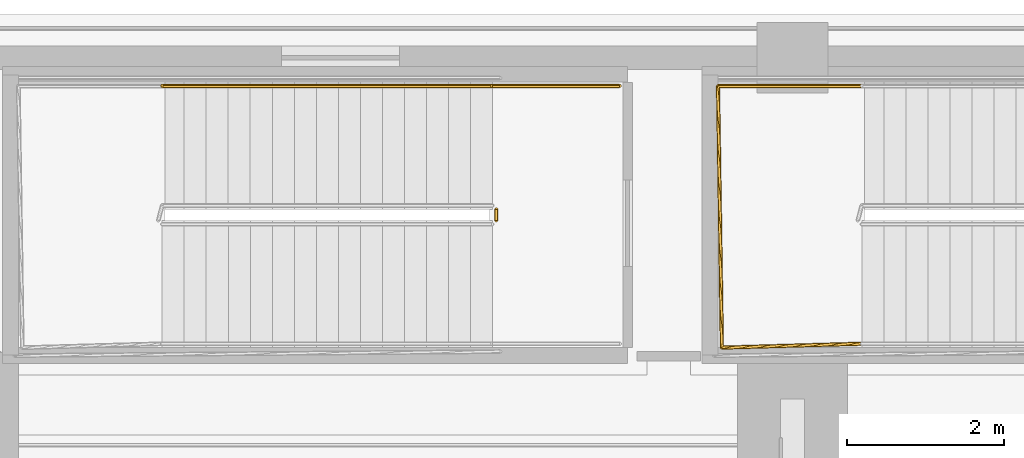
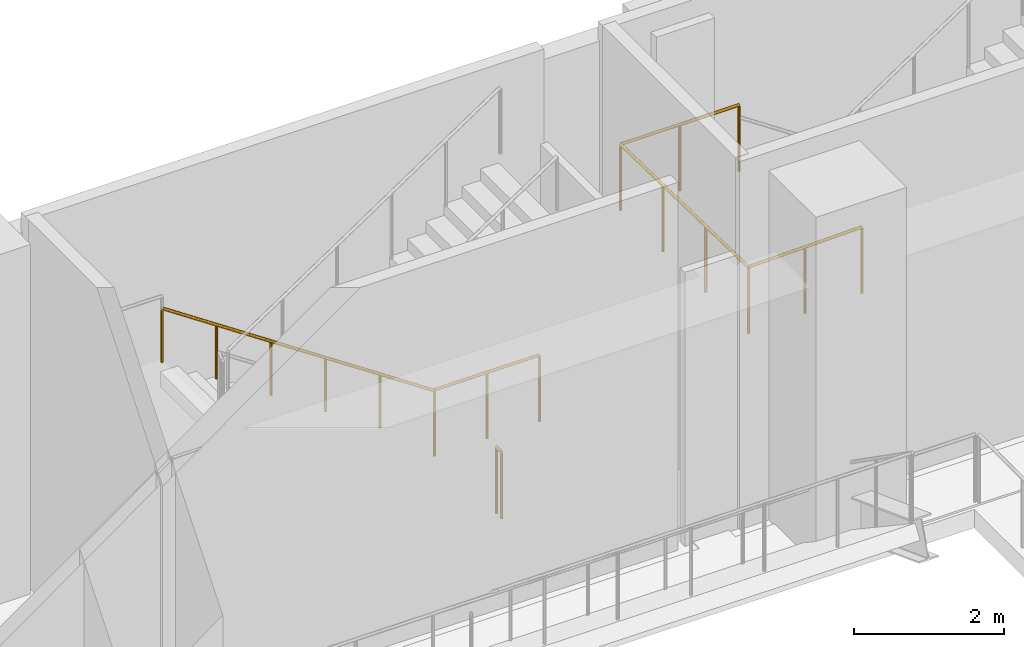
# One storey, part 23 of 28: 4 railings.
"""IFC4 building model written with IfcOpenShell, lengths in metres."""

import ifcopenshell
import ifcopenshell.guid

model = None  # the IFC model being written
_history = None  # IfcOwnerHistory: only IFC2X3 demands one
_inside = {}  # id of a spatial element -> (the spatial element, [elements in it])
_under = {}  # id of a project, library or spatial element -> (it, [spatial elements below it])
_declared = {}  # id of a project -> (the project, [libraries it declares])
_typed = {}  # id of a type object -> (the type object, [elements of that type])
_made_of = {}  # id of a material, layer set ... -> (it, [elements and type objects made of it])


def new_model(schema):
    """Start an empty IFC model of exactly this schema.

    Asked for "IFC4X3", IfcOpenShell would pick the latest addendum, in which some entities
    have other attributes; the version numbers below select the first issue.
    IFC2X3 requires an IfcOwnerHistory on every rooted entity: one is made here for all.
    """
    global model, _history
    if schema == "IFC4X3":
        model = ifcopenshell.file(schema_version=(4, 3, 0, 0))
    else:
        model = ifcopenshell.file(schema=schema)
    _inside.clear()
    _under.clear()
    _declared.clear()
    _typed.clear()
    _made_of.clear()
    _history = None
    if model.schema == "IFC2X3":
        org = make("IfcOrganization", Name="unknown")
        user = make(
            "IfcPersonAndOrganization",
            ThePerson=make("IfcPerson", FamilyName="unknown"),
            TheOrganization=org,
        )
        app = make(
            "IfcApplication",
            ApplicationDeveloper=org,
            Version="unknown",
            ApplicationFullName="unknown",
            ApplicationIdentifier="unknown",
        )
        _history = make(
            "IfcOwnerHistory",
            OwningUser=user,
            OwningApplication=app,
            ChangeAction="ADDED",
            CreationDate=0,
        )
    return model


def make(cls, **values):
    """One entity of the class cls with the attributes given. An attribute that is None is left unset."""
    return model.create_entity(
        cls, **{name: value for name, value in values.items() if value is not None}
    )


def rooted(cls, **values):
    """An entity with a GlobalId (a new one), such as an element, a storey or a relation."""
    return make(cls, GlobalId=ifcopenshell.guid.new(), OwnerHistory=_history, **values)


def si_unit(unit_type, name, prefix=None):
    """IfcSIUnit, for example si_unit("LENGTHUNIT", "METRE", prefix="MILLI")."""
    return make("IfcSIUnit", UnitType=unit_type, Prefix=prefix, Name=name)


def assignment(units):
    """IfcUnitAssignment: the units of a project."""
    return None if units is None else make("IfcUnitAssignment", Units=units)


def point(xyz):
    """IfcCartesianPoint."""
    return None if xyz is None else make("IfcCartesianPoint", Coordinates=xyz)


def direction(xyz):
    """IfcDirection."""
    return None if xyz is None else make("IfcDirection", DirectionRatios=xyz)


def frame(location, z_axis=None, x_axis=None):
    """IfcAxis2Placement3D, a coordinate frame: its origin and axes. An axis left out is left unset."""
    return make(
        "IfcAxis2Placement3D",
        Location=point(location),
        Axis=direction(z_axis),
        RefDirection=direction(x_axis),
    )


def frame_2d(location, x_axis=None):
    """IfcAxis2Placement2D, a coordinate frame in the plane: its origin and x axis."""
    return make(
        "IfcAxis2Placement2D", Location=point(location), RefDirection=direction(x_axis)
    )


def origin():
    """The frame at (0, 0, 0) with its axes left unset."""
    return frame((0.0, 0.0, 0.0))


def origin_2d():
    """The frame at (0, 0) in the plane with its x axis left unset."""
    return frame_2d((0.0, 0.0))


def place(relative_to, where):
    """IfcLocalPlacement: puts the frame where relative to a parent placement (None: the world)."""
    return make(
        "IfcLocalPlacement", PlacementRelTo=relative_to, RelativePlacement=where
    )


def context(
    kind, dimensions, precision=None, world=None, true_north=None, identifier=None
):
    """IfcGeometricRepresentationContext, for example the 3D "Model" context."""
    return make(
        "IfcGeometricRepresentationContext",
        ContextIdentifier=identifier,
        ContextType=kind,
        CoordinateSpaceDimension=dimensions,
        Precision=precision,
        WorldCoordinateSystem=world,
        TrueNorth=true_north,
    )


def subcontext(parent, identifier, kind, view, scale=None):
    """IfcGeometricRepresentationSubContext, for example "Body" below "Model"."""
    return make(
        "IfcGeometricRepresentationSubContext",
        ContextIdentifier=identifier,
        ContextType=kind,
        ParentContext=parent,
        TargetScale=scale,
        TargetView=view,
    )


def project(units=None, contexts=None):
    """IfcProject with its units and contexts."""
    return rooted(
        "IfcProject",
        Name="project",
        RepresentationContexts=contexts,
        UnitsInContext=assignment(units),
    )


def spatial(cls, under=None, at=None, **own):
    """A site, building, storey or space (cls), placed at a placement, below another one or the project."""
    s = rooted(cls, ObjectPlacement=at, **own)
    if under is not None:
        _under.setdefault(under.id(), (under, []))[1].append(s)
    return s


def profile(cls, at=None, kind="AREA", **sizes):
    """A parametric profile (cls). Its sizes go by their IFC names, for example OverallWidth=200.0."""
    return make(cls, ProfileType=kind, Position=at, **sizes)


def circle(**sizes):
    """IfcCircleProfileDef."""
    return profile("IfcCircleProfileDef", **sizes)


def extrude(swept, where, along, depth):
    """IfcExtrudedAreaSolid: the profile swept, set in the frame where, extruded along a direction by depth."""
    return make(
        "IfcExtrudedAreaSolid",
        SweptArea=swept,
        Position=where,
        ExtrudedDirection=direction(along),
        Depth=depth,
    )


def shape(context_of_items, identifier, shape_type, items):
    """IfcShapeRepresentation: the items that make up one representation, for example the "Body"."""
    return make(
        "IfcShapeRepresentation",
        ContextOfItems=context_of_items,
        RepresentationIdentifier=identifier,
        RepresentationType=shape_type,
        Items=items,
    )


def material(Name=None, Category=None):
    """IfcMaterial."""
    return make("IfcMaterial", Name=Name, Category=Category)


def layer(
    of_material, thickness, ventilated=None, Name=None, Category=None, Priority=None
):
    """IfcMaterialLayer: one layer of a wall or slab, of a material (None: an air gap)."""
    return make(
        "IfcMaterialLayer",
        Material=of_material,
        LayerThickness=thickness,
        IsVentilated=ventilated,
        Name=Name,
        Category=Category,
        Priority=Priority,
    )


def layer_set(layers, Name=None):
    """IfcMaterialLayerSet."""
    return make("IfcMaterialLayerSet", MaterialLayers=layers, LayerSetName=Name)


def made_of(thing, what):
    """Note that an element or type object is made of a material, layer set ...; save() writes the relation."""
    if what is not None:
        _made_of.setdefault(what.id(), (what, []))[1].append(thing)
    return thing


def type_object(cls, material=None, **own):
    """A type object (cls), such as IfcWallType, which elements share."""
    return made_of(rooted(cls, **own), material)


def element(
    cls,
    number,
    at=None,
    inside=None,
    cuts=None,
    type_object=None,
    material=None,
    context=None,
    identifier="Body",
    shape_type=None,
    held_by="IfcProductDefinitionShape",
    body=None,
    shapes=None,
    **own,
):
    """One element of the class cls, such as IfcWall. Its Tag is "e" and its number.

    at: its placement. inside: the storey or other place that contains it. cuts: it is an
    opening in that element (IfcRelVoidsElement). A single representation is given by context,
    identifier, shape_type and body (its items); several are given by shapes. held_by: the class
    of the entity that holds the representations. save() writes the other relations.
    """
    e = rooted(cls, Tag="e%d" % number, ObjectPlacement=at, **own)
    if body is not None:
        shapes = [shape(context, identifier, shape_type, body)]
    if shapes is not None:
        e.Representation = make(held_by, Representations=shapes)
    if inside is not None:
        _inside.setdefault(inside.id(), (inside, []))[1].append(e)
    if cuts is not None:
        rooted(
            "IfcRelVoidsElement", RelatingBuildingElement=cuts, RelatedOpeningElement=e
        )
    if type_object is not None:
        _typed.setdefault(type_object.id(), (type_object, []))[1].append(e)
    return made_of(e, material)


def aggregate(whole, parts):
    """IfcRelAggregates: a whole, such as a stair, and the parts it consists of."""
    return rooted("IfcRelAggregates", RelatingObject=whole, RelatedObjects=parts)


def save(model, path):
    """Write the relations noted so far, then the file.

    IfcRelAggregates (storeys below a building ...), IfcRelContainedInSpatialStructure (elements
    in a storey), IfcRelDefinesByType, IfcRelAssociatesMaterial and IfcRelDeclares: one each for
    every whole, place, type object, material and project.
    """
    for whole, parts in _under.values():
        aggregate(whole, parts)
    for where, things in _inside.values():
        rooted(
            "IfcRelContainedInSpatialStructure",
            RelatedElements=things,
            RelatingStructure=where,
        )
    for kind, things in _typed.values():
        rooted("IfcRelDefinesByType", RelatedObjects=things, RelatingType=kind)
    for what, things in _made_of.values():
        rooted("IfcRelAssociatesMaterial", RelatedObjects=things, RelatingMaterial=what)
    for by, libraries in _declared.values():
        rooted("IfcRelDeclares", RelatingContext=by, RelatedDefinitions=libraries)
    model.write(path)


model = new_model("IFC4")

# Units and contexts
model_context = context("Model", 3, precision=1e-05, world=origin(), true_north=direction((0.0, 1.0)))
body_context = subcontext(model_context, "Body", "Model", "MODEL_VIEW")
ifc_project = project(units=[si_unit("LENGTHUNIT", "METRE"), si_unit("AREAUNIT", "SQUARE_METRE"), si_unit("VOLUMEUNIT", "CUBIC_METRE"), si_unit("PLANEANGLEUNIT", "RADIAN"), si_unit("MASSUNIT", "GRAM", prefix="KILO")], contexts=[model_context])

# Site, building, storey
site_placement = place(None, origin())
site = spatial("IfcSite", under=ifc_project, at=site_placement, CompositionType="ELEMENT")
building_placement = place(site_placement, origin())
building = spatial("IfcBuilding", under=site, at=building_placement, Name="Ndaravel Arena Tower", CompositionType="ELEMENT")
storey_placement = place(building_placement, frame((0.0, 0.0, 18.0)))
storey = spatial("IfcBuildingStorey", under=building, at=storey_placement, Name="L03", CompositionType="ELEMENT", Elevation=18.0)

# Railings
ifc_material_1 = material(Name="Steel S355", Category="steel")
ifc_layer_1 = layer(ifc_material_1, 0.06005859375)
ifc_layer_set_1 = layer_set([ifc_layer_1], Name="Steel S355")
railing_type_1 = type_object("IfcRailingType", Name="RAIL-STAIR-GD1100", PredefinedType="GUARDRAIL", material=ifc_layer_set_1)
railing_1_placement = place(storey_placement, frame((60.22998046875, 45.52001953125, 0.0)))
element("IfcRailing", 1, at=railing_1_placement, inside=storey, type_object=railing_type_1, Name="L03 ST-A10 stair guard 4", PredefinedType="GUARDRAIL", context=body_context, shape_type="SweptSolid", body=[
    extrude(circle(Radius=0.02392578125, at=origin_2d()), frame((0.0, 0.0, 1.076171875), z_axis=(0.0, -1.0, 0.0), x_axis=(1.0, 0.0, 0.0)), (0.0, 0.0, 1.0), 0.14013671875),
    extrude(circle(Radius=0.02099609375, at=origin_2d()), origin(), (0.0, 0.0, 1.0), 1.052001953125),
    extrude(circle(Radius=0.02099609375, at=origin_2d()), frame((0.0, -0.14013671875, 0.0)), (0.0, 0.0, 1.0), 1.052001953125),
])
railing_2_placement = place(storey_placement, frame((61.800048828125, 47.090087890625, 0.0)))
element("IfcRailing", 2, at=railing_2_placement, inside=storey, type_object=railing_type_1, Name="L03 ST-A10 stair guard 5", PredefinedType="GUARDRAIL", context=body_context, shape_type="SweptSolid", body=[
    extrude(circle(Radius=0.02392578125, at=origin_2d()), frame((0.0, 0.0, 1.076171875), z_axis=(-1.0, 0.0, 0.0), x_axis=(0.0, -1.0, 0.0)), (0.0, 0.0, 1.0), 1.6201171875),
    extrude(circle(Radius=0.02099609375, at=origin_2d()), origin(), (0.0, 0.0, 1.0), 1.052001953125),
    extrude(circle(Radius=0.02099609375, at=origin_2d()), frame((-0.81005859375, 0.0, 0.0)), (0.0, 0.0, 1.0), 1.052001953125),
    extrude(circle(Radius=0.02099609375, at=origin_2d()), frame((-1.6201171875, 0.0, 0.0)), (0.0, 0.0, 1.0), 1.052001953125),
])
railing_3_placement = place(storey_placement, frame((64.8798828125, 47.090087890625, 3.0)))
element("IfcRailing", 3, at=railing_3_placement, inside=storey, type_object=railing_type_1, Name="L03 ST-A11 stair guard 2", PredefinedType="GUARDRAIL", context=body_context, shape_type="SweptSolid", body=[
    extrude(circle(Radius=0.02392578125, at=origin_2d()), frame((0.0, 0.0, 1.076171875), z_axis=(-1.0, 0.0, 0.0), x_axis=(0.0, -1.0, 0.0)), (0.0, 0.0, 1.0), 1.829833984375),
    extrude(circle(Radius=0.02392578125, at=origin_2d()), frame((-1.829833984375, 0.0, 1.076171875), z_axis=(0.015027628384, -0.999887078817, 0.0), x_axis=(0.999887078817, 0.015027628384, 0.0)), (0.0, 0.0, 1.0), 3.33056640625),
    extrude(circle(Radius=0.02392578125, at=origin_2d()), frame((-1.77978515625, -3.330078125, 1.076171875), z_axis=(0.999604847084, 0.028109601324, 0.0), x_axis=(-0.028109601324, 0.999604847084, 0.0)), (0.0, 0.0, 1.0), 1.780517578125),
    extrude(circle(Radius=0.02099609375, at=origin_2d()), origin(), (0.0, 0.0, 1.0), 1.052001953125),
    extrude(circle(Radius=0.02099609375, at=origin_2d()), frame((-0.9150390625, 0.0, 0.0)), (0.0, 0.0, 1.0), 1.052001953125),
    extrude(circle(Radius=0.02099609375, at=origin_2d()), frame((-1.829833984375, 0.0, 0.0)), (0.0, 0.0, 1.0), 1.052001953125),
    extrude(circle(Radius=0.02099609375, at=origin_2d()), frame((-1.813232421875, -1.110107421875, 0.0)), (0.0, 0.0, 1.0), 1.052001953125),
    extrude(circle(Radius=0.02099609375, at=origin_2d()), frame((-1.79638671875, -2.219970703125, 0.0)), (0.0, 0.0, 1.0), 1.052001953125),
    extrude(circle(Radius=0.02099609375, at=origin_2d()), frame((-1.77978515625, -3.330078125, 0.0)), (0.0, 0.0, 1.0), 1.052001953125),
    extrude(circle(Radius=0.02099609375, at=origin_2d()), frame((-0.889892578125, -3.30517578125, 0.0)), (0.0, 0.0, 1.0), 1.052001953125),
    extrude(circle(Radius=0.02099609375, at=origin_2d()), frame((0.0, -3.280029296875, 0.0)), (0.0, 0.0, 1.0), 1.052001953125),
])
ifc_material_2 = material(Name="Steel S355", Category="steel")
ifc_layer_2 = layer(ifc_material_2, 0.050048828125)
ifc_layer_set_2 = layer_set([ifc_layer_2], Name="Steel S355")
railing_type_2 = type_object("IfcRailingType", Name="RAIL-STAIR-HR920", PredefinedType="HANDRAIL", material=ifc_layer_set_2)
railing_4_placement = place(storey_placement, frame((60.179931640625, 47.090087890625, 0.1875)))
element("IfcRailing", 4, at=railing_4_placement, inside=storey, type_object=railing_type_2, Name="L03 ST-A10 stair handrail 1", PredefinedType="HANDRAIL", context=body_context, shape_type="SweptSolid", body=[
    extrude(circle(Radius=0.02392578125, at=origin_2d()), frame((0.0, 0.0, 0.8759765625), z_axis=(-0.830904186295, 0.0, 0.556415522067), x_axis=(0.0, -1.0, 0.0)), (0.0, 0.0, 1.0), 5.0546875),
    extrude(circle(Radius=0.02099609375, at=origin_2d()), origin(), (0.0, 0.0, 1.0), 0.851806640625),
    extrude(circle(Radius=0.02099609375, at=origin_2d()), frame((-0.840087890625, 0.0, 0.5625)), (0.0, 0.0, 1.0), 0.851806640625),
    extrude(circle(Radius=0.02099609375, at=origin_2d()), frame((-1.679931640625, 0.0, 1.125)), (0.0, 0.0, 1.0), 0.851806640625),
    extrude(circle(Radius=0.02099609375, at=origin_2d()), frame((-2.52001953125, 0.0, 1.6875)), (0.0, 0.0, 1.0), 0.851806640625),
    extrude(circle(Radius=0.02099609375, at=origin_2d()), frame((-3.35986328125, 0.0, 2.25)), (0.0, 0.0, 1.0), 0.851806640625),
    extrude(circle(Radius=0.02099609375, at=origin_2d()), frame((-4.199951171875, 0.0, 2.8125)), (0.0, 0.0, 1.0), 0.851806640625),
])

save(model, "model.ifc")
